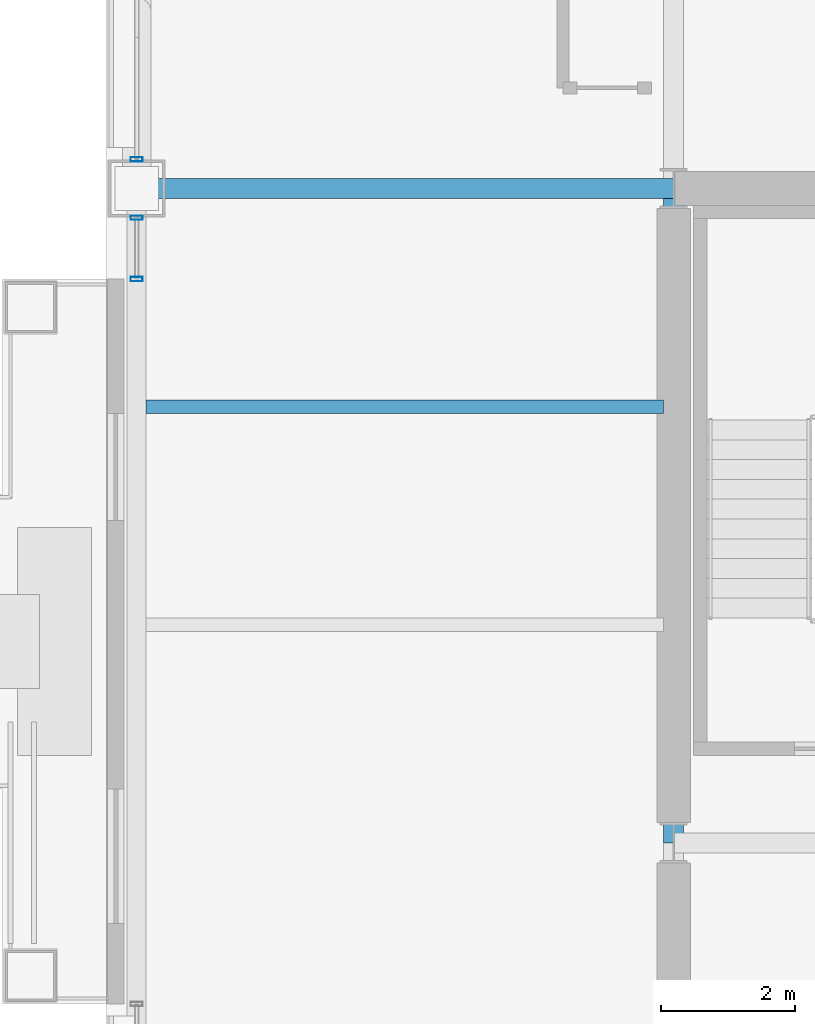
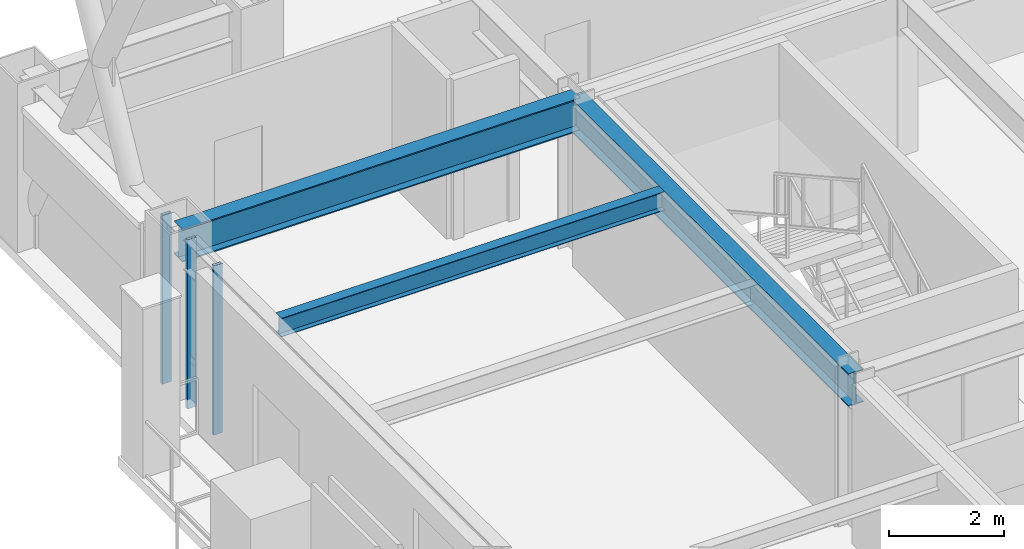
# One storey, part 9 of 32: 3 beams, 3 members, 2 elements without a shape of their own.
"""IFC4 building model written with IfcOpenShell, lengths in metres."""

from ifc_helpers import new_model, si_unit, direction, frame, origin, origin_2d, place, context, subcontext, project, spatial, hollow_rectangle, i_section, extrude, material, layer, layer_set, material_profile, profile_set, type_object, element, aggregate, save


model = new_model("IFC4")

# Units and contexts
model_context = context("Model", 3, precision=1e-05, world=origin(), true_north=direction((0.0, 1.0)))
body_context = subcontext(model_context, "Body", "Model", "MODEL_VIEW")
ifc_project = project(units=[si_unit("LENGTHUNIT", "METRE"), si_unit("AREAUNIT", "SQUARE_METRE"), si_unit("VOLUMEUNIT", "CUBIC_METRE"), si_unit("PLANEANGLEUNIT", "RADIAN"), si_unit("MASSUNIT", "GRAM", prefix="KILO")], contexts=[model_context])

# Site, building, storey
site_placement = place(None, origin())
site = spatial("IfcSite", under=ifc_project, at=site_placement, CompositionType="ELEMENT")
building_placement = place(site_placement, origin())
building = spatial("IfcBuilding", under=site, at=building_placement, Name="Brelmoor Portico Tower", CompositionType="ELEMENT")
storey_placement = place(building_placement, frame((0.0, 0.0, 109.800048828125)))
storey = spatial("IfcBuildingStorey", under=building, at=storey_placement, Name="L28", CompositionType="ELEMENT", Elevation=109.800048828125)

# Beams
ifc_material_1 = material(Name="Steel Q355B", Category="steel")
ifc_material_profile_1 = material_profile(ifc_material_1, i_section(OverallWidth=0.199951171875, OverallDepth=0.39990234375, WebThickness=0.008056640625, FlangeThickness=0.012939453125, at=origin_2d()), Name="HN 400x200x8x13")
ifc_profile_set_1 = profile_set([ifc_material_profile_1], Name="Steel Q355B")
beam_type_1 = type_object("IfcBeamType", Name="BM-JS-400", PredefinedType="JOIST", material=ifc_profile_set_1)
beam_1_placement = place(storey_placement, frame((-22.409912109375, 6.5, 3.199951171875), z_axis=(1.0, 0.0, 0.0), x_axis=(0.0, 1.0, 0.0)))
element("IfcBeam", 1, at=beam_1_placement, inside=storey, type_object=beam_type_1, Name="L28 Secondary Wing Joist JS-W08", PredefinedType="JOIST", context=body_context, shape_type="SweptSolid", body=[
    extrude(i_section(OverallWidth=0.199951171875, OverallDepth=0.39990234375, WebThickness=0.008056640625, FlangeThickness=0.012939453125, at=origin_2d()), origin(), (0.0, 0.0, 1.0), 7.7099609375),
])
ifc_material_profile_2 = material_profile(ifc_material_1, i_section(OverallWidth=0.300048828125, OverallDepth=0.699951171875, WebThickness=0.012939453125, FlangeThickness=0.02392578125, at=origin_2d()), Name="HN 700x300x13x24")
ifc_profile_set_2 = profile_set([ifc_material_profile_2], Name="Steel Q355B")
beam_type_2 = type_object("IfcBeamType", Name="BM-PG-700", PredefinedType="BEAM", material=ifc_profile_set_2)
beam_2_placement = place(storey_placement, frame((-14.550048828125, 0.0, 3.050048828125), z_axis=(0.0, 1.0, 0.0), x_axis=(-1.0, 0.0, 0.0)))
element("IfcBeam", 2, at=beam_2_placement, inside=storey, type_object=beam_type_2, Name="L28 Primary Floor Girder PG-03", PredefinedType="BEAM", context=body_context, shape_type="SweptSolid", body=[
    extrude(i_section(OverallWidth=0.300048828125, OverallDepth=0.699951171875, WebThickness=0.012939453125, FlangeThickness=0.02392578125, at=origin_2d()), origin(), (0.0, 0.0, 1.0), 9.75),
])
beam_3_placement = place(storey_placement, frame((-22.550048828125, 9.75, 3.050048828125), z_axis=(1.0, 0.0, 0.0), x_axis=(0.0, 1.0, 0.0)))
element("IfcBeam", 3, at=beam_3_placement, inside=storey, type_object=beam_type_2, Name="L28 Primary Floor Girder PG-22", PredefinedType="BEAM", context=body_context, shape_type="SweptSolid", body=[
    extrude(i_section(OverallWidth=0.300048828125, OverallDepth=0.699951171875, WebThickness=0.012939453125, FlangeThickness=0.02392578125, at=origin_2d()), origin(), (0.0, 0.0, 1.0), 8.0),
])

# Curtain wall, members
ifc_material_2 = material(Name="Anodised Aluminium Alloy 6063-T6", Category="aluminium")
ifc_layer_1 = layer(ifc_material_2, 0.179931640625)
ifc_layer_set_1 = layer_set([ifc_layer_1], Name="Anodised Aluminium Alloy 6063-T6")
curtain_wall_type_1 = type_object("IfcCurtainWallType", Name="CW-TOWER-Z2", PredefinedType="NOTDEFINED", material=ifc_layer_set_1)
curtain_wall_1_placement = place(storey_placement, origin())
curtain_wall_1 = element("IfcCurtainWall", 4, at=curtain_wall_1_placement, inside=storey, type_object=curtain_wall_type_1, Name="L28 Curtain Wall CW-L28-3R-1", PredefinedType="NOTDEFINED")
ifc_material_profile_3 = material_profile(ifc_material_2, hollow_rectangle(XDim=0.06494140625, YDim=0.179931640625, WallThickness=0.00390625, at=origin_2d()), Name="ALU MULLION 65x180")
ifc_profile_set_3 = profile_set([ifc_material_profile_3], Name="Anodised Aluminium Alloy 6063-T6")
member_type = type_object("IfcMemberType", Name="MB-CW-MULL-180", PredefinedType="MULLION", material=ifc_profile_set_3)
member_1_placement = place(storey_placement, frame((-22.550048828125, 8.39990234375, -0.199951171875), z_axis=(0.0, 0.0, 1.0), x_axis=(0.0, 1.0, 0.0)))
member_1 = element("IfcMember", 5, at=member_1_placement, type_object=member_type, Name="CW-L28-3R-1 Mullion 00", PredefinedType="MULLION", context=body_context, shape_type="SweptSolid", body=[
    extrude(hollow_rectangle(XDim=0.06494140625, YDim=0.179931640625, WallThickness=0.00390625, at=origin_2d()), origin(), (0.0, 0.0, 1.0), 3.599853515625),
])
member_2_placement = place(storey_placement, frame((-22.550048828125, 9.31494140625, -0.199951171875), z_axis=(0.0, 0.0, 1.0), x_axis=(0.0, 1.0, 0.0)))
member_2 = element("IfcMember", 6, at=member_2_placement, type_object=member_type, Name="CW-L28-3R-1 Mullion 01", PredefinedType="MULLION", context=body_context, shape_type="SweptSolid", body=[
    extrude(hollow_rectangle(XDim=0.06494140625, YDim=0.179931640625, WallThickness=0.00390625, at=origin_2d()), origin(), (0.0, 0.0, 1.0), 3.599853515625),
])
aggregate(curtain_wall_1, [member_1, member_2])

# Curtain wall, member
ifc_layer_2 = layer(ifc_material_2, 0.179931640625)
ifc_layer_set_2 = layer_set([ifc_layer_2], Name="Anodised Aluminium Alloy 6063-T6")
curtain_wall_type_2 = type_object("IfcCurtainWallType", Name="CW-TOWER-Z2-XB", PredefinedType="NOTDEFINED", material=ifc_layer_set_2)
curtain_wall_2_placement = place(storey_placement, origin())
curtain_wall_2 = element("IfcCurtainWall", 7, at=curtain_wall_2_placement, inside=storey, type_object=curtain_wall_type_2, Name="L28 Curtain Wall CW-L28-3R-2", PredefinedType="NOTDEFINED")
member_3_placement = place(storey_placement, frame((-22.550048828125, 10.18505859375, -0.199951171875), z_axis=(0.0, 0.0, 1.0), x_axis=(0.0, 1.0, 0.0)))
member_3 = element("IfcMember", 8, at=member_3_placement, type_object=member_type, Name="CW-L28-3R-2 Mullion 00", PredefinedType="MULLION", context=body_context, shape_type="SweptSolid", body=[
    extrude(hollow_rectangle(XDim=0.06494140625, YDim=0.179931640625, WallThickness=0.00390625, at=origin_2d()), origin(), (0.0, 0.0, 1.0), 3.599853515625),
])
aggregate(curtain_wall_2, [member_3])

save(model, "model.ifc")
